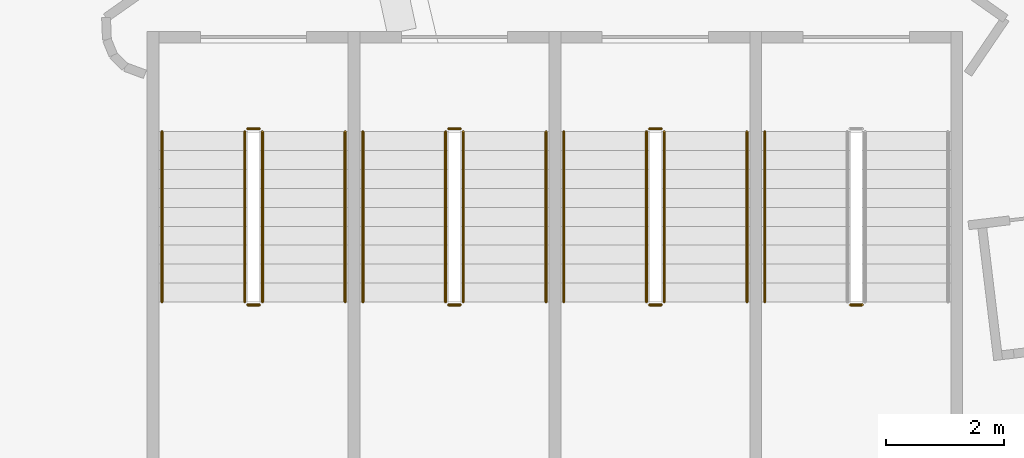
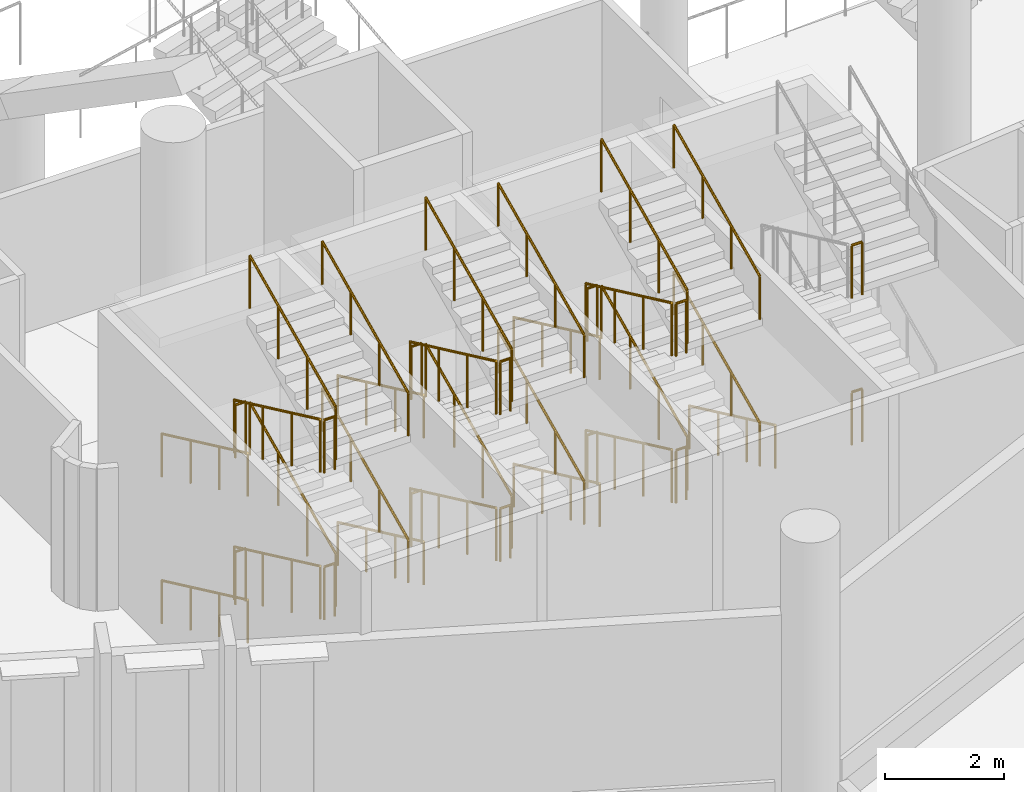
# One storey, part 127 of 173: 39 railings.
"""IFC4 building model written with IfcOpenShell, lengths in metres."""

from ifc_helpers import new_model, si_unit, direction, frame, origin, origin_2d, place, context, subcontext, project, spatial, circle, extrude, material, type_object, element, save


model = new_model("IFC4")

# Units and contexts
model_context = context("Model", 3, precision=1e-05, world=origin(), true_north=direction((0.0, 1.0)))
body_context = subcontext(model_context, "Body", "Model", "MODEL_VIEW")
ifc_project = project(units=[si_unit("LENGTHUNIT", "METRE"), si_unit("AREAUNIT", "SQUARE_METRE"), si_unit("VOLUMEUNIT", "CUBIC_METRE"), si_unit("PLANEANGLEUNIT", "RADIAN"), si_unit("MASSUNIT", "GRAM", prefix="KILO")], contexts=[model_context])

# Site, building, storey
site_placement = place(None, origin())
site = spatial("IfcSite", under=ifc_project, at=site_placement, CompositionType="ELEMENT")
building_placement = place(site_placement, origin())
building = spatial("IfcBuilding", under=site, at=building_placement, Name="Meseta Stadium", CompositionType="ELEMENT")
storey_placement = place(building_placement, frame((0.0, 0.0, 18.0)))
storey = spatial("IfcBuildingStorey", under=building, at=storey_placement, Name="L03", CompositionType="ELEMENT", Elevation=18.0)

# Railings
ifc_material_1 = material(Name="Steel S355", Category="steel")
railing_type_1 = type_object("IfcRailingType", Name="Stair guard 1100", PredefinedType="GUARDRAIL", material=ifc_material_1)
railing_1_placement = place(storey_placement, frame((17.75, -95.199951171875, 0.14990234375)))
element("IfcRailing", 1, at=railing_1_placement, inside=storey, type_object=railing_type_1, Name="ST97 L03 guard 1", PredefinedType="GUARDRAIL", context=body_context, shape_type="SweptSolid", body=[
    extrude(circle(Radius=0.02392578125, at=origin_2d()), frame((0.0, 0.0, 1.076171875), z_axis=(0.0, -0.905454327043, 0.424443708447), x_axis=(1.0, 0.0, 0.0)), (0.0, 0.0, 1.0), 3.180908203125),
    extrude(circle(Radius=0.02099609375, at=origin_2d()), origin(), (0.0, 0.0, 1.0), 1.052001953125),
    extrude(circle(Radius=0.02099609375, at=origin_2d()), frame((0.0, -0.9599609375, 0.449951171875)), (0.0, 0.0, 1.0), 1.052001953125),
    extrude(circle(Radius=0.02099609375, at=origin_2d()), frame((0.0, -1.920166015625, 0.900146484375)), (0.0, 0.0, 1.0), 1.052001953125),
    extrude(circle(Radius=0.02099609375, at=origin_2d()), frame((0.0, -2.880126953125, 1.35009765625)), (0.0, 0.0, 1.0), 1.052001953125),
])
railing_2_placement = place(storey_placement, frame((17.800048828125, -98.1298828125, 1.5)))
element("IfcRailing", 2, at=railing_2_placement, inside=storey, type_object=railing_type_1, Name="ST97 L03 guard 2", PredefinedType="GUARDRAIL", context=body_context, shape_type="SweptSolid", body=[
    extrude(circle(Radius=0.02392578125, at=origin_2d()), frame((0.0, 0.0, 1.076171875), z_axis=(1.0, 0.0, 0.0), x_axis=(0.0, 1.0, 0.0)), (0.0, 0.0, 1.0), 0.199951171875),
    extrude(circle(Radius=0.02099609375, at=origin_2d()), origin(), (0.0, 0.0, 1.0), 1.052001953125),
    extrude(circle(Radius=0.02099609375, at=origin_2d()), frame((0.199951171875, 0.0, 0.0)), (0.0, 0.0, 1.0), 1.052001953125),
])
railing_3_placement = place(storey_placement, frame((18.050048828125, -98.080078125, 1.64990234375)))
element("IfcRailing", 3, at=railing_3_placement, inside=storey, type_object=railing_type_1, Name="ST97 L03 guard 3", PredefinedType="GUARDRAIL", context=body_context, shape_type="SweptSolid", body=[
    extrude(circle(Radius=0.02392578125, at=origin_2d()), frame((0.0, 0.0, 1.076171875), z_axis=(0.0, 0.905454327043, 0.424443708447), x_axis=(-1.0, 0.0, 0.0)), (0.0, 0.0, 1.0), 3.180908203125),
    extrude(circle(Radius=0.02099609375, at=origin_2d()), origin(), (0.0, 0.0, 1.0), 1.052001953125),
    extrude(circle(Radius=0.02099609375, at=origin_2d()), frame((0.0, 0.9599609375, 0.449951171875)), (0.0, 0.0, 1.0), 1.052001953125),
    extrude(circle(Radius=0.02099609375, at=origin_2d()), frame((0.0, 1.920166015625, 0.900146484375)), (0.0, 0.0, 1.0), 1.052001953125),
    extrude(circle(Radius=0.02099609375, at=origin_2d()), frame((0.0, 2.880126953125, 1.35009765625)), (0.0, 0.0, 1.0), 1.052001953125),
])
railing_4_placement = place(storey_placement, frame((17.800048828125, -95.14990234375, 3.0)))
element("IfcRailing", 4, at=railing_4_placement, inside=storey, type_object=railing_type_1, Name="ST97 L03 guard 4", PredefinedType="GUARDRAIL", context=body_context, shape_type="SweptSolid", body=[
    extrude(circle(Radius=0.02392578125, at=origin_2d()), frame((0.0, 0.0, 1.076171875), z_axis=(1.0, 0.0, 0.0), x_axis=(0.0, 1.0, 0.0)), (0.0, 0.0, 1.0), 0.199951171875),
    extrude(circle(Radius=0.02099609375, at=origin_2d()), origin(), (0.0, 0.0, 1.0), 1.052001953125),
    extrude(circle(Radius=0.02099609375, at=origin_2d()), frame((0.199951171875, 0.0, 0.0)), (0.0, 0.0, 1.0), 1.052001953125),
])
railing_5_placement = place(storey_placement, frame((17.75, -95.199951171875, 3.14990234375)))
element("IfcRailing", 5, at=railing_5_placement, inside=storey, type_object=railing_type_1, Name="ST97 L03 guard 5", PredefinedType="GUARDRAIL", context=body_context, shape_type="SweptSolid", body=[
    extrude(circle(Radius=0.02392578125, at=origin_2d()), frame((0.0, 0.0, 1.076171875), z_axis=(0.0, -0.905454327043, 0.424443708447), x_axis=(1.0, 0.0, 0.0)), (0.0, 0.0, 1.0), 3.180908203125),
    extrude(circle(Radius=0.02099609375, at=origin_2d()), origin(), (0.0, 0.0, 1.0), 1.052001953125),
    extrude(circle(Radius=0.02099609375, at=origin_2d()), frame((0.0, -0.9599609375, 0.449951171875)), (0.0, 0.0, 1.0), 1.052001953125),
    extrude(circle(Radius=0.02099609375, at=origin_2d()), frame((0.0, -1.920166015625, 0.900146484375)), (0.0, 0.0, 1.0), 1.052001953125),
    extrude(circle(Radius=0.02099609375, at=origin_2d()), frame((0.0, -2.880126953125, 1.35009765625)), (0.0, 0.0, 1.0), 1.052001953125),
])
railing_6_placement = place(storey_placement, frame((17.800048828125, -98.1298828125, 4.5)))
element("IfcRailing", 6, at=railing_6_placement, inside=storey, type_object=railing_type_1, Name="ST97 L03 guard 6", PredefinedType="GUARDRAIL", context=body_context, shape_type="SweptSolid", body=[
    extrude(circle(Radius=0.02392578125, at=origin_2d()), frame((0.0, 0.0, 1.076171875), z_axis=(1.0, 0.0, 0.0), x_axis=(0.0, 1.0, 0.0)), (0.0, 0.0, 1.0), 0.199951171875),
    extrude(circle(Radius=0.02099609375, at=origin_2d()), origin(), (0.0, 0.0, 1.0), 1.052001953125),
    extrude(circle(Radius=0.02099609375, at=origin_2d()), frame((0.199951171875, 0.0, 0.0)), (0.0, 0.0, 1.0), 1.052001953125),
])
railing_7_placement = place(storey_placement, frame((18.050048828125, -98.080078125, 4.64990234375)))
element("IfcRailing", 7, at=railing_7_placement, inside=storey, type_object=railing_type_1, Name="ST97 L03 guard 7", PredefinedType="GUARDRAIL", context=body_context, shape_type="SweptSolid", body=[
    extrude(circle(Radius=0.02392578125, at=origin_2d()), frame((0.0, 0.0, 1.076171875), z_axis=(0.0, 0.905454327043, 0.424443708447), x_axis=(-1.0, 0.0, 0.0)), (0.0, 0.0, 1.0), 3.180908203125),
    extrude(circle(Radius=0.02099609375, at=origin_2d()), origin(), (0.0, 0.0, 1.0), 1.052001953125),
    extrude(circle(Radius=0.02099609375, at=origin_2d()), frame((0.0, 0.9599609375, 0.449951171875)), (0.0, 0.0, 1.0), 1.052001953125),
    extrude(circle(Radius=0.02099609375, at=origin_2d()), frame((0.0, 1.920166015625, 0.900146484375)), (0.0, 0.0, 1.0), 1.052001953125),
    extrude(circle(Radius=0.02099609375, at=origin_2d()), frame((0.0, 2.880126953125, 1.35009765625)), (0.0, 0.0, 1.0), 1.052001953125),
])
railing_8_placement = place(storey_placement, frame((17.800048828125, -95.14990234375, 0.0)))
element("IfcRailing", 8, at=railing_8_placement, inside=storey, type_object=railing_type_1, Name="ST97 L03 guard 8", PredefinedType="GUARDRAIL", context=body_context, shape_type="SweptSolid", body=[
    extrude(circle(Radius=0.02392578125, at=origin_2d()), frame((0.0, 0.0, 1.076171875), z_axis=(1.0, 0.0, 0.0), x_axis=(0.0, 1.0, 0.0)), (0.0, 0.0, 1.0), 0.199951171875),
    extrude(circle(Radius=0.02099609375, at=origin_2d()), origin(), (0.0, 0.0, 1.0), 1.052001953125),
    extrude(circle(Radius=0.02099609375, at=origin_2d()), frame((0.199951171875, 0.0, 0.0)), (0.0, 0.0, 1.0), 1.052001953125),
])
railing_9_placement = place(storey_placement, frame((21.14990234375, -95.199951171875, 0.14990234375)))
element("IfcRailing", 9, at=railing_9_placement, inside=storey, type_object=railing_type_1, Name="ST98 L03 guard 1", PredefinedType="GUARDRAIL", context=body_context, shape_type="SweptSolid", body=[
    extrude(circle(Radius=0.02392578125, at=origin_2d()), frame((0.0, 0.0, 1.076171875), z_axis=(0.0, -0.905454327043, 0.424443708447), x_axis=(1.0, 0.0, 0.0)), (0.0, 0.0, 1.0), 3.180908203125),
    extrude(circle(Radius=0.02099609375, at=origin_2d()), origin(), (0.0, 0.0, 1.0), 1.052001953125),
    extrude(circle(Radius=0.02099609375, at=origin_2d()), frame((0.0, -0.9599609375, 0.449951171875)), (0.0, 0.0, 1.0), 1.052001953125),
    extrude(circle(Radius=0.02099609375, at=origin_2d()), frame((0.0, -1.920166015625, 0.900146484375)), (0.0, 0.0, 1.0), 1.052001953125),
    extrude(circle(Radius=0.02099609375, at=origin_2d()), frame((0.0, -2.880126953125, 1.35009765625)), (0.0, 0.0, 1.0), 1.052001953125),
])
railing_10_placement = place(storey_placement, frame((21.199951171875, -98.1298828125, 1.5)))
element("IfcRailing", 10, at=railing_10_placement, inside=storey, type_object=railing_type_1, Name="ST98 L03 guard 2", PredefinedType="GUARDRAIL", context=body_context, shape_type="SweptSolid", body=[
    extrude(circle(Radius=0.02392578125, at=origin_2d()), frame((0.0, 0.0, 1.076171875), z_axis=(1.0, 0.0, 0.0), x_axis=(0.0, 1.0, 0.0)), (0.0, 0.0, 1.0), 0.199951171875),
    extrude(circle(Radius=0.02099609375, at=origin_2d()), origin(), (0.0, 0.0, 1.0), 1.052001953125),
    extrude(circle(Radius=0.02099609375, at=origin_2d()), frame((0.199951171875, 0.0, 0.0)), (0.0, 0.0, 1.0), 1.052001953125),
])
railing_11_placement = place(storey_placement, frame((21.449951171875, -98.080078125, 1.64990234375)))
element("IfcRailing", 11, at=railing_11_placement, inside=storey, type_object=railing_type_1, Name="ST98 L03 guard 3", PredefinedType="GUARDRAIL", context=body_context, shape_type="SweptSolid", body=[
    extrude(circle(Radius=0.02392578125, at=origin_2d()), frame((0.0, 0.0, 1.076171875), z_axis=(0.0, 0.905454327043, 0.424443708447), x_axis=(-1.0, 0.0, 0.0)), (0.0, 0.0, 1.0), 3.180908203125),
    extrude(circle(Radius=0.02099609375, at=origin_2d()), origin(), (0.0, 0.0, 1.0), 1.052001953125),
    extrude(circle(Radius=0.02099609375, at=origin_2d()), frame((0.0, 0.9599609375, 0.449951171875)), (0.0, 0.0, 1.0), 1.052001953125),
    extrude(circle(Radius=0.02099609375, at=origin_2d()), frame((0.0, 1.920166015625, 0.900146484375)), (0.0, 0.0, 1.0), 1.052001953125),
    extrude(circle(Radius=0.02099609375, at=origin_2d()), frame((0.0, 2.880126953125, 1.35009765625)), (0.0, 0.0, 1.0), 1.052001953125),
])
railing_12_placement = place(storey_placement, frame((21.199951171875, -95.14990234375, 3.0)))
element("IfcRailing", 12, at=railing_12_placement, inside=storey, type_object=railing_type_1, Name="ST98 L03 guard 4", PredefinedType="GUARDRAIL", context=body_context, shape_type="SweptSolid", body=[
    extrude(circle(Radius=0.02392578125, at=origin_2d()), frame((0.0, 0.0, 1.076171875), z_axis=(1.0, 0.0, 0.0), x_axis=(0.0, 1.0, 0.0)), (0.0, 0.0, 1.0), 0.199951171875),
    extrude(circle(Radius=0.02099609375, at=origin_2d()), origin(), (0.0, 0.0, 1.0), 1.052001953125),
    extrude(circle(Radius=0.02099609375, at=origin_2d()), frame((0.199951171875, 0.0, 0.0)), (0.0, 0.0, 1.0), 1.052001953125),
])
railing_13_placement = place(storey_placement, frame((21.14990234375, -95.199951171875, 3.14990234375)))
element("IfcRailing", 13, at=railing_13_placement, inside=storey, type_object=railing_type_1, Name="ST98 L03 guard 5", PredefinedType="GUARDRAIL", context=body_context, shape_type="SweptSolid", body=[
    extrude(circle(Radius=0.02392578125, at=origin_2d()), frame((0.0, 0.0, 1.076171875), z_axis=(0.0, -0.905454327043, 0.424443708447), x_axis=(1.0, 0.0, 0.0)), (0.0, 0.0, 1.0), 3.180908203125),
    extrude(circle(Radius=0.02099609375, at=origin_2d()), origin(), (0.0, 0.0, 1.0), 1.052001953125),
    extrude(circle(Radius=0.02099609375, at=origin_2d()), frame((0.0, -0.9599609375, 0.449951171875)), (0.0, 0.0, 1.0), 1.052001953125),
    extrude(circle(Radius=0.02099609375, at=origin_2d()), frame((0.0, -1.920166015625, 0.900146484375)), (0.0, 0.0, 1.0), 1.052001953125),
    extrude(circle(Radius=0.02099609375, at=origin_2d()), frame((0.0, -2.880126953125, 1.35009765625)), (0.0, 0.0, 1.0), 1.052001953125),
])
railing_14_placement = place(storey_placement, frame((21.199951171875, -98.1298828125, 4.5)))
element("IfcRailing", 14, at=railing_14_placement, inside=storey, type_object=railing_type_1, Name="ST98 L03 guard 6", PredefinedType="GUARDRAIL", context=body_context, shape_type="SweptSolid", body=[
    extrude(circle(Radius=0.02392578125, at=origin_2d()), frame((0.0, 0.0, 1.076171875), z_axis=(1.0, 0.0, 0.0), x_axis=(0.0, 1.0, 0.0)), (0.0, 0.0, 1.0), 0.199951171875),
    extrude(circle(Radius=0.02099609375, at=origin_2d()), origin(), (0.0, 0.0, 1.0), 1.052001953125),
    extrude(circle(Radius=0.02099609375, at=origin_2d()), frame((0.199951171875, 0.0, 0.0)), (0.0, 0.0, 1.0), 1.052001953125),
])
railing_15_placement = place(storey_placement, frame((21.449951171875, -98.080078125, 4.64990234375)))
element("IfcRailing", 15, at=railing_15_placement, inside=storey, type_object=railing_type_1, Name="ST98 L03 guard 7", PredefinedType="GUARDRAIL", context=body_context, shape_type="SweptSolid", body=[
    extrude(circle(Radius=0.02392578125, at=origin_2d()), frame((0.0, 0.0, 1.076171875), z_axis=(0.0, 0.905454327043, 0.424443708447), x_axis=(-1.0, 0.0, 0.0)), (0.0, 0.0, 1.0), 3.180908203125),
    extrude(circle(Radius=0.02099609375, at=origin_2d()), origin(), (0.0, 0.0, 1.0), 1.052001953125),
    extrude(circle(Radius=0.02099609375, at=origin_2d()), frame((0.0, 0.9599609375, 0.449951171875)), (0.0, 0.0, 1.0), 1.052001953125),
    extrude(circle(Radius=0.02099609375, at=origin_2d()), frame((0.0, 1.920166015625, 0.900146484375)), (0.0, 0.0, 1.0), 1.052001953125),
    extrude(circle(Radius=0.02099609375, at=origin_2d()), frame((0.0, 2.880126953125, 1.35009765625)), (0.0, 0.0, 1.0), 1.052001953125),
])
railing_16_placement = place(storey_placement, frame((21.199951171875, -95.14990234375, 0.0)))
element("IfcRailing", 16, at=railing_16_placement, inside=storey, type_object=railing_type_1, Name="ST98 L03 guard 8", PredefinedType="GUARDRAIL", context=body_context, shape_type="SweptSolid", body=[
    extrude(circle(Radius=0.02392578125, at=origin_2d()), frame((0.0, 0.0, 1.076171875), z_axis=(1.0, 0.0, 0.0), x_axis=(0.0, 1.0, 0.0)), (0.0, 0.0, 1.0), 0.199951171875),
    extrude(circle(Radius=0.02099609375, at=origin_2d()), origin(), (0.0, 0.0, 1.0), 1.052001953125),
    extrude(circle(Radius=0.02099609375, at=origin_2d()), frame((0.199951171875, 0.0, 0.0)), (0.0, 0.0, 1.0), 1.052001953125),
])
railing_17_placement = place(storey_placement, frame((24.550048828125, -95.199951171875, 0.14990234375)))
element("IfcRailing", 17, at=railing_17_placement, inside=storey, type_object=railing_type_1, Name="ST99 L03 guard 1", PredefinedType="GUARDRAIL", context=body_context, shape_type="SweptSolid", body=[
    extrude(circle(Radius=0.02392578125, at=origin_2d()), frame((0.0, 0.0, 1.076171875), z_axis=(0.0, -0.905454327043, 0.424443708447), x_axis=(1.0, 0.0, 0.0)), (0.0, 0.0, 1.0), 3.180908203125),
    extrude(circle(Radius=0.02099609375, at=origin_2d()), origin(), (0.0, 0.0, 1.0), 1.052001953125),
    extrude(circle(Radius=0.02099609375, at=origin_2d()), frame((0.0, -0.9599609375, 0.449951171875)), (0.0, 0.0, 1.0), 1.052001953125),
    extrude(circle(Radius=0.02099609375, at=origin_2d()), frame((0.0, -1.920166015625, 0.900146484375)), (0.0, 0.0, 1.0), 1.052001953125),
    extrude(circle(Radius=0.02099609375, at=origin_2d()), frame((0.0, -2.880126953125, 1.35009765625)), (0.0, 0.0, 1.0), 1.052001953125),
])
railing_18_placement = place(storey_placement, frame((24.60009765625, -98.1298828125, 1.5)))
element("IfcRailing", 18, at=railing_18_placement, inside=storey, type_object=railing_type_1, Name="ST99 L03 guard 2", PredefinedType="GUARDRAIL", context=body_context, shape_type="SweptSolid", body=[
    extrude(circle(Radius=0.02392578125, at=origin_2d()), frame((0.0, 0.0, 1.076171875), z_axis=(1.0, 0.0, 0.0), x_axis=(0.0, 1.0, 0.0)), (0.0, 0.0, 1.0), 0.199951171875),
    extrude(circle(Radius=0.02099609375, at=origin_2d()), origin(), (0.0, 0.0, 1.0), 1.052001953125),
    extrude(circle(Radius=0.02099609375, at=origin_2d()), frame((0.199951171875, 0.0, 0.0)), (0.0, 0.0, 1.0), 1.052001953125),
])
railing_19_placement = place(storey_placement, frame((24.85009765625, -98.080078125, 1.64990234375)))
element("IfcRailing", 19, at=railing_19_placement, inside=storey, type_object=railing_type_1, Name="ST99 L03 guard 3", PredefinedType="GUARDRAIL", context=body_context, shape_type="SweptSolid", body=[
    extrude(circle(Radius=0.02392578125, at=origin_2d()), frame((0.0, 0.0, 1.076171875), z_axis=(0.0, 0.905454327043, 0.424443708447), x_axis=(-1.0, 0.0, 0.0)), (0.0, 0.0, 1.0), 3.180908203125),
    extrude(circle(Radius=0.02099609375, at=origin_2d()), origin(), (0.0, 0.0, 1.0), 1.052001953125),
    extrude(circle(Radius=0.02099609375, at=origin_2d()), frame((0.0, 0.9599609375, 0.449951171875)), (0.0, 0.0, 1.0), 1.052001953125),
    extrude(circle(Radius=0.02099609375, at=origin_2d()), frame((0.0, 1.920166015625, 0.900146484375)), (0.0, 0.0, 1.0), 1.052001953125),
    extrude(circle(Radius=0.02099609375, at=origin_2d()), frame((0.0, 2.880126953125, 1.35009765625)), (0.0, 0.0, 1.0), 1.052001953125),
])
railing_20_placement = place(storey_placement, frame((24.60009765625, -95.14990234375, 3.0)))
element("IfcRailing", 20, at=railing_20_placement, inside=storey, type_object=railing_type_1, Name="ST99 L03 guard 4", PredefinedType="GUARDRAIL", context=body_context, shape_type="SweptSolid", body=[
    extrude(circle(Radius=0.02392578125, at=origin_2d()), frame((0.0, 0.0, 1.076171875), z_axis=(1.0, 0.0, 0.0), x_axis=(0.0, 1.0, 0.0)), (0.0, 0.0, 1.0), 0.199951171875),
    extrude(circle(Radius=0.02099609375, at=origin_2d()), origin(), (0.0, 0.0, 1.0), 1.052001953125),
    extrude(circle(Radius=0.02099609375, at=origin_2d()), frame((0.199951171875, 0.0, 0.0)), (0.0, 0.0, 1.0), 1.052001953125),
])
railing_21_placement = place(storey_placement, frame((24.550048828125, -95.199951171875, 3.14990234375)))
element("IfcRailing", 21, at=railing_21_placement, inside=storey, type_object=railing_type_1, Name="ST99 L03 guard 5", PredefinedType="GUARDRAIL", context=body_context, shape_type="SweptSolid", body=[
    extrude(circle(Radius=0.02392578125, at=origin_2d()), frame((0.0, 0.0, 1.076171875), z_axis=(0.0, -0.905454327043, 0.424443708447), x_axis=(1.0, 0.0, 0.0)), (0.0, 0.0, 1.0), 3.180908203125),
    extrude(circle(Radius=0.02099609375, at=origin_2d()), origin(), (0.0, 0.0, 1.0), 1.052001953125),
    extrude(circle(Radius=0.02099609375, at=origin_2d()), frame((0.0, -0.9599609375, 0.449951171875)), (0.0, 0.0, 1.0), 1.052001953125),
    extrude(circle(Radius=0.02099609375, at=origin_2d()), frame((0.0, -1.920166015625, 0.900146484375)), (0.0, 0.0, 1.0), 1.052001953125),
    extrude(circle(Radius=0.02099609375, at=origin_2d()), frame((0.0, -2.880126953125, 1.35009765625)), (0.0, 0.0, 1.0), 1.052001953125),
])
railing_22_placement = place(storey_placement, frame((24.60009765625, -98.1298828125, 4.5)))
element("IfcRailing", 22, at=railing_22_placement, inside=storey, type_object=railing_type_1, Name="ST99 L03 guard 6", PredefinedType="GUARDRAIL", context=body_context, shape_type="SweptSolid", body=[
    extrude(circle(Radius=0.02392578125, at=origin_2d()), frame((0.0, 0.0, 1.076171875), z_axis=(1.0, 0.0, 0.0), x_axis=(0.0, 1.0, 0.0)), (0.0, 0.0, 1.0), 0.199951171875),
    extrude(circle(Radius=0.02099609375, at=origin_2d()), origin(), (0.0, 0.0, 1.0), 1.052001953125),
    extrude(circle(Radius=0.02099609375, at=origin_2d()), frame((0.199951171875, 0.0, 0.0)), (0.0, 0.0, 1.0), 1.052001953125),
])
railing_23_placement = place(storey_placement, frame((24.85009765625, -98.080078125, 4.64990234375)))
element("IfcRailing", 23, at=railing_23_placement, inside=storey, type_object=railing_type_1, Name="ST99 L03 guard 7", PredefinedType="GUARDRAIL", context=body_context, shape_type="SweptSolid", body=[
    extrude(circle(Radius=0.02392578125, at=origin_2d()), frame((0.0, 0.0, 1.076171875), z_axis=(0.0, 0.905454327043, 0.424443708447), x_axis=(-1.0, 0.0, 0.0)), (0.0, 0.0, 1.0), 3.180908203125),
    extrude(circle(Radius=0.02099609375, at=origin_2d()), origin(), (0.0, 0.0, 1.0), 1.052001953125),
    extrude(circle(Radius=0.02099609375, at=origin_2d()), frame((0.0, 0.9599609375, 0.449951171875)), (0.0, 0.0, 1.0), 1.052001953125),
    extrude(circle(Radius=0.02099609375, at=origin_2d()), frame((0.0, 1.920166015625, 0.900146484375)), (0.0, 0.0, 1.0), 1.052001953125),
    extrude(circle(Radius=0.02099609375, at=origin_2d()), frame((0.0, 2.880126953125, 1.35009765625)), (0.0, 0.0, 1.0), 1.052001953125),
])
for number, where, name in (
    (24, (24.60009765625, -95.14990234375, 0.0), "ST99 L03 guard 8"),
    (25, (28.0, -98.1298828125, 1.5), "ST100 L03 guard 2"),
    (26, (28.0, -98.1298828125, 4.5), "ST100 L03 guard 6"),
):
    element("IfcRailing", number, at=place(storey_placement, frame(where)), inside=storey, type_object=railing_type_1, Name=name, PredefinedType="GUARDRAIL", context=body_context, shape_type="SweptSolid", body=[
        extrude(circle(Radius=0.02392578125, at=origin_2d()), frame((0.0, 0.0, 1.076171875), z_axis=(1.0, 0.0, 0.0), x_axis=(0.0, 1.0, 0.0)), (0.0, 0.0, 1.0), 0.199951171875),
        extrude(circle(Radius=0.02099609375, at=origin_2d()), origin(), (0.0, 0.0, 1.0), 1.052001953125),
        extrude(circle(Radius=0.02099609375, at=origin_2d()), frame((0.199951171875, 0.0, 0.0)), (0.0, 0.0, 1.0), 1.052001953125),
    ])
ifc_material_2 = material(Name="Steel S355", Category="steel")
railing_type_2 = type_object("IfcRailingType", Name="Stair handrail 900", PredefinedType="HANDRAIL", material=ifc_material_2)
railing_24_placement = place(storey_placement, frame((16.35009765625, -95.199951171875, 0.14990234375)))
element("IfcRailing", 27, at=railing_24_placement, inside=storey, type_object=railing_type_2, Name="ST97 L03 handrail 1", PredefinedType="HANDRAIL", context=body_context, shape_type="SweptSolid", body=[
    extrude(circle(Radius=0.02392578125, at=origin_2d()), frame((0.0, 0.0, 0.8759765625), z_axis=(0.0, -0.905454327043, 0.424443708447), x_axis=(1.0, 0.0, 0.0)), (0.0, 0.0, 1.0), 3.180908203125),
    extrude(circle(Radius=0.02099609375, at=origin_2d()), origin(), (0.0, 0.0, 1.0), 0.851806640625),
    extrude(circle(Radius=0.02099609375, at=origin_2d()), frame((0.0, -0.9599609375, 0.449951171875)), (0.0, 0.0, 1.0), 0.851806640625),
    extrude(circle(Radius=0.02099609375, at=origin_2d()), frame((0.0, -1.920166015625, 0.900146484375)), (0.0, 0.0, 1.0), 0.851806640625),
    extrude(circle(Radius=0.02099609375, at=origin_2d()), frame((0.0, -2.880126953125, 1.35009765625)), (0.0, 0.0, 1.0), 0.851806640625),
])
railing_25_placement = place(storey_placement, frame((19.449951171875, -98.080078125, 1.64990234375)))
element("IfcRailing", 28, at=railing_25_placement, inside=storey, type_object=railing_type_2, Name="ST97 L03 handrail 2", PredefinedType="HANDRAIL", context=body_context, shape_type="SweptSolid", body=[
    extrude(circle(Radius=0.02392578125, at=origin_2d()), frame((0.0, 0.0, 0.8759765625), z_axis=(0.0, 0.905454327043, 0.424443708447), x_axis=(-1.0, 0.0, 0.0)), (0.0, 0.0, 1.0), 3.180908203125),
    extrude(circle(Radius=0.02099609375, at=origin_2d()), origin(), (0.0, 0.0, 1.0), 0.851806640625),
    extrude(circle(Radius=0.02099609375, at=origin_2d()), frame((0.0, 0.9599609375, 0.449951171875)), (0.0, 0.0, 1.0), 0.851806640625),
    extrude(circle(Radius=0.02099609375, at=origin_2d()), frame((0.0, 1.920166015625, 0.900146484375)), (0.0, 0.0, 1.0), 0.851806640625),
    extrude(circle(Radius=0.02099609375, at=origin_2d()), frame((0.0, 2.880126953125, 1.35009765625)), (0.0, 0.0, 1.0), 0.851806640625),
])
railing_26_placement = place(storey_placement, frame((16.35009765625, -95.199951171875, 3.14990234375)))
element("IfcRailing", 29, at=railing_26_placement, inside=storey, type_object=railing_type_2, Name="ST97 L03 handrail 3", PredefinedType="HANDRAIL", context=body_context, shape_type="SweptSolid", body=[
    extrude(circle(Radius=0.02392578125, at=origin_2d()), frame((0.0, 0.0, 0.8759765625), z_axis=(0.0, -0.905454327043, 0.424443708447), x_axis=(1.0, 0.0, 0.0)), (0.0, 0.0, 1.0), 3.180908203125),
    extrude(circle(Radius=0.02099609375, at=origin_2d()), origin(), (0.0, 0.0, 1.0), 0.851806640625),
    extrude(circle(Radius=0.02099609375, at=origin_2d()), frame((0.0, -0.9599609375, 0.449951171875)), (0.0, 0.0, 1.0), 0.851806640625),
    extrude(circle(Radius=0.02099609375, at=origin_2d()), frame((0.0, -1.920166015625, 0.900146484375)), (0.0, 0.0, 1.0), 0.851806640625),
    extrude(circle(Radius=0.02099609375, at=origin_2d()), frame((0.0, -2.880126953125, 1.35009765625)), (0.0, 0.0, 1.0), 0.851806640625),
])
railing_27_placement = place(storey_placement, frame((19.449951171875, -98.080078125, 4.64990234375)))
element("IfcRailing", 30, at=railing_27_placement, inside=storey, type_object=railing_type_2, Name="ST97 L03 handrail 4", PredefinedType="HANDRAIL", context=body_context, shape_type="SweptSolid", body=[
    extrude(circle(Radius=0.02392578125, at=origin_2d()), frame((0.0, 0.0, 0.8759765625), z_axis=(0.0, 0.905454327043, 0.424443708447), x_axis=(-1.0, 0.0, 0.0)), (0.0, 0.0, 1.0), 3.180908203125),
    extrude(circle(Radius=0.02099609375, at=origin_2d()), origin(), (0.0, 0.0, 1.0), 0.851806640625),
    extrude(circle(Radius=0.02099609375, at=origin_2d()), frame((0.0, 0.9599609375, 0.449951171875)), (0.0, 0.0, 1.0), 0.851806640625),
    extrude(circle(Radius=0.02099609375, at=origin_2d()), frame((0.0, 1.920166015625, 0.900146484375)), (0.0, 0.0, 1.0), 0.851806640625),
    extrude(circle(Radius=0.02099609375, at=origin_2d()), frame((0.0, 2.880126953125, 1.35009765625)), (0.0, 0.0, 1.0), 0.851806640625),
])
railing_28_placement = place(storey_placement, frame((19.75, -95.199951171875, 0.14990234375)))
element("IfcRailing", 31, at=railing_28_placement, inside=storey, type_object=railing_type_2, Name="ST98 L03 handrail 1", PredefinedType="HANDRAIL", context=body_context, shape_type="SweptSolid", body=[
    extrude(circle(Radius=0.02392578125, at=origin_2d()), frame((0.0, 0.0, 0.8759765625), z_axis=(0.0, -0.905454327043, 0.424443708447), x_axis=(1.0, 0.0, 0.0)), (0.0, 0.0, 1.0), 3.180908203125),
    extrude(circle(Radius=0.02099609375, at=origin_2d()), origin(), (0.0, 0.0, 1.0), 0.851806640625),
    extrude(circle(Radius=0.02099609375, at=origin_2d()), frame((0.0, -0.9599609375, 0.449951171875)), (0.0, 0.0, 1.0), 0.851806640625),
    extrude(circle(Radius=0.02099609375, at=origin_2d()), frame((0.0, -1.920166015625, 0.900146484375)), (0.0, 0.0, 1.0), 0.851806640625),
    extrude(circle(Radius=0.02099609375, at=origin_2d()), frame((0.0, -2.880126953125, 1.35009765625)), (0.0, 0.0, 1.0), 0.851806640625),
])
railing_29_placement = place(storey_placement, frame((22.85009765625, -98.080078125, 1.64990234375)))
element("IfcRailing", 32, at=railing_29_placement, inside=storey, type_object=railing_type_2, Name="ST98 L03 handrail 2", PredefinedType="HANDRAIL", context=body_context, shape_type="SweptSolid", body=[
    extrude(circle(Radius=0.02392578125, at=origin_2d()), frame((0.0, 0.0, 0.8759765625), z_axis=(0.0, 0.905454327043, 0.424443708447), x_axis=(-1.0, 0.0, 0.0)), (0.0, 0.0, 1.0), 3.180908203125),
    extrude(circle(Radius=0.02099609375, at=origin_2d()), origin(), (0.0, 0.0, 1.0), 0.851806640625),
    extrude(circle(Radius=0.02099609375, at=origin_2d()), frame((0.0, 0.9599609375, 0.449951171875)), (0.0, 0.0, 1.0), 0.851806640625),
    extrude(circle(Radius=0.02099609375, at=origin_2d()), frame((0.0, 1.920166015625, 0.900146484375)), (0.0, 0.0, 1.0), 0.851806640625),
    extrude(circle(Radius=0.02099609375, at=origin_2d()), frame((0.0, 2.880126953125, 1.35009765625)), (0.0, 0.0, 1.0), 0.851806640625),
])
railing_30_placement = place(storey_placement, frame((19.75, -95.199951171875, 3.14990234375)))
element("IfcRailing", 33, at=railing_30_placement, inside=storey, type_object=railing_type_2, Name="ST98 L03 handrail 3", PredefinedType="HANDRAIL", context=body_context, shape_type="SweptSolid", body=[
    extrude(circle(Radius=0.02392578125, at=origin_2d()), frame((0.0, 0.0, 0.8759765625), z_axis=(0.0, -0.905454327043, 0.424443708447), x_axis=(1.0, 0.0, 0.0)), (0.0, 0.0, 1.0), 3.180908203125),
    extrude(circle(Radius=0.02099609375, at=origin_2d()), origin(), (0.0, 0.0, 1.0), 0.851806640625),
    extrude(circle(Radius=0.02099609375, at=origin_2d()), frame((0.0, -0.9599609375, 0.449951171875)), (0.0, 0.0, 1.0), 0.851806640625),
    extrude(circle(Radius=0.02099609375, at=origin_2d()), frame((0.0, -1.920166015625, 0.900146484375)), (0.0, 0.0, 1.0), 0.851806640625),
    extrude(circle(Radius=0.02099609375, at=origin_2d()), frame((0.0, -2.880126953125, 1.35009765625)), (0.0, 0.0, 1.0), 0.851806640625),
])
railing_31_placement = place(storey_placement, frame((22.85009765625, -98.080078125, 4.64990234375)))
element("IfcRailing", 34, at=railing_31_placement, inside=storey, type_object=railing_type_2, Name="ST98 L03 handrail 4", PredefinedType="HANDRAIL", context=body_context, shape_type="SweptSolid", body=[
    extrude(circle(Radius=0.02392578125, at=origin_2d()), frame((0.0, 0.0, 0.8759765625), z_axis=(0.0, 0.905454327043, 0.424443708447), x_axis=(-1.0, 0.0, 0.0)), (0.0, 0.0, 1.0), 3.180908203125),
    extrude(circle(Radius=0.02099609375, at=origin_2d()), origin(), (0.0, 0.0, 1.0), 0.851806640625),
    extrude(circle(Radius=0.02099609375, at=origin_2d()), frame((0.0, 0.9599609375, 0.449951171875)), (0.0, 0.0, 1.0), 0.851806640625),
    extrude(circle(Radius=0.02099609375, at=origin_2d()), frame((0.0, 1.920166015625, 0.900146484375)), (0.0, 0.0, 1.0), 0.851806640625),
    extrude(circle(Radius=0.02099609375, at=origin_2d()), frame((0.0, 2.880126953125, 1.35009765625)), (0.0, 0.0, 1.0), 0.851806640625),
])
railing_32_placement = place(storey_placement, frame((23.14990234375, -95.199951171875, 0.14990234375)))
element("IfcRailing", 35, at=railing_32_placement, inside=storey, type_object=railing_type_2, Name="ST99 L03 handrail 1", PredefinedType="HANDRAIL", context=body_context, shape_type="SweptSolid", body=[
    extrude(circle(Radius=0.02392578125, at=origin_2d()), frame((0.0, 0.0, 0.8759765625), z_axis=(0.0, -0.905454327043, 0.424443708447), x_axis=(1.0, 0.0, 0.0)), (0.0, 0.0, 1.0), 3.180908203125),
    extrude(circle(Radius=0.02099609375, at=origin_2d()), origin(), (0.0, 0.0, 1.0), 0.851806640625),
    extrude(circle(Radius=0.02099609375, at=origin_2d()), frame((0.0, -0.9599609375, 0.449951171875)), (0.0, 0.0, 1.0), 0.851806640625),
    extrude(circle(Radius=0.02099609375, at=origin_2d()), frame((0.0, -1.920166015625, 0.900146484375)), (0.0, 0.0, 1.0), 0.851806640625),
    extrude(circle(Radius=0.02099609375, at=origin_2d()), frame((0.0, -2.880126953125, 1.35009765625)), (0.0, 0.0, 1.0), 0.851806640625),
])
railing_33_placement = place(storey_placement, frame((26.25, -98.080078125, 1.64990234375)))
element("IfcRailing", 36, at=railing_33_placement, inside=storey, type_object=railing_type_2, Name="ST99 L03 handrail 2", PredefinedType="HANDRAIL", context=body_context, shape_type="SweptSolid", body=[
    extrude(circle(Radius=0.02392578125, at=origin_2d()), frame((0.0, 0.0, 0.8759765625), z_axis=(0.0, 0.905454327043, 0.424443708447), x_axis=(-1.0, 0.0, 0.0)), (0.0, 0.0, 1.0), 3.180908203125),
    extrude(circle(Radius=0.02099609375, at=origin_2d()), origin(), (0.0, 0.0, 1.0), 0.851806640625),
    extrude(circle(Radius=0.02099609375, at=origin_2d()), frame((0.0, 0.9599609375, 0.449951171875)), (0.0, 0.0, 1.0), 0.851806640625),
    extrude(circle(Radius=0.02099609375, at=origin_2d()), frame((0.0, 1.920166015625, 0.900146484375)), (0.0, 0.0, 1.0), 0.851806640625),
    extrude(circle(Radius=0.02099609375, at=origin_2d()), frame((0.0, 2.880126953125, 1.35009765625)), (0.0, 0.0, 1.0), 0.851806640625),
])
railing_34_placement = place(storey_placement, frame((23.14990234375, -95.199951171875, 3.14990234375)))
element("IfcRailing", 37, at=railing_34_placement, inside=storey, type_object=railing_type_2, Name="ST99 L03 handrail 3", PredefinedType="HANDRAIL", context=body_context, shape_type="SweptSolid", body=[
    extrude(circle(Radius=0.02392578125, at=origin_2d()), frame((0.0, 0.0, 0.8759765625), z_axis=(0.0, -0.905454327043, 0.424443708447), x_axis=(1.0, 0.0, 0.0)), (0.0, 0.0, 1.0), 3.180908203125),
    extrude(circle(Radius=0.02099609375, at=origin_2d()), origin(), (0.0, 0.0, 1.0), 0.851806640625),
    extrude(circle(Radius=0.02099609375, at=origin_2d()), frame((0.0, -0.9599609375, 0.449951171875)), (0.0, 0.0, 1.0), 0.851806640625),
    extrude(circle(Radius=0.02099609375, at=origin_2d()), frame((0.0, -1.920166015625, 0.900146484375)), (0.0, 0.0, 1.0), 0.851806640625),
    extrude(circle(Radius=0.02099609375, at=origin_2d()), frame((0.0, -2.880126953125, 1.35009765625)), (0.0, 0.0, 1.0), 0.851806640625),
])
railing_35_placement = place(storey_placement, frame((26.25, -98.080078125, 4.64990234375)))
element("IfcRailing", 38, at=railing_35_placement, inside=storey, type_object=railing_type_2, Name="ST99 L03 handrail 4", PredefinedType="HANDRAIL", context=body_context, shape_type="SweptSolid", body=[
    extrude(circle(Radius=0.02392578125, at=origin_2d()), frame((0.0, 0.0, 0.8759765625), z_axis=(0.0, 0.905454327043, 0.424443708447), x_axis=(-1.0, 0.0, 0.0)), (0.0, 0.0, 1.0), 3.180908203125),
    extrude(circle(Radius=0.02099609375, at=origin_2d()), origin(), (0.0, 0.0, 1.0), 0.851806640625),
    extrude(circle(Radius=0.02099609375, at=origin_2d()), frame((0.0, 0.9599609375, 0.449951171875)), (0.0, 0.0, 1.0), 0.851806640625),
    extrude(circle(Radius=0.02099609375, at=origin_2d()), frame((0.0, 1.920166015625, 0.900146484375)), (0.0, 0.0, 1.0), 0.851806640625),
    extrude(circle(Radius=0.02099609375, at=origin_2d()), frame((0.0, 2.880126953125, 1.35009765625)), (0.0, 0.0, 1.0), 0.851806640625),
])
railing_36_placement = place(storey_placement, frame((26.550048828125, -95.199951171875, 0.14990234375)))
element("IfcRailing", 39, at=railing_36_placement, inside=storey, type_object=railing_type_2, Name="ST100 L03 handrail 1", PredefinedType="HANDRAIL", context=body_context, shape_type="SweptSolid", body=[
    extrude(circle(Radius=0.02392578125, at=origin_2d()), frame((0.0, 0.0, 0.8759765625), z_axis=(0.0, -0.905454327043, 0.424443708447), x_axis=(1.0, 0.0, 0.0)), (0.0, 0.0, 1.0), 3.180908203125),
    extrude(circle(Radius=0.02099609375, at=origin_2d()), origin(), (0.0, 0.0, 1.0), 0.851806640625),
    extrude(circle(Radius=0.02099609375, at=origin_2d()), frame((0.0, -0.9599609375, 0.449951171875)), (0.0, 0.0, 1.0), 0.851806640625),
    extrude(circle(Radius=0.02099609375, at=origin_2d()), frame((0.0, -1.920166015625, 0.900146484375)), (0.0, 0.0, 1.0), 0.851806640625),
    extrude(circle(Radius=0.02099609375, at=origin_2d()), frame((0.0, -2.880126953125, 1.35009765625)), (0.0, 0.0, 1.0), 0.851806640625),
])

save(model, "model.ifc")
